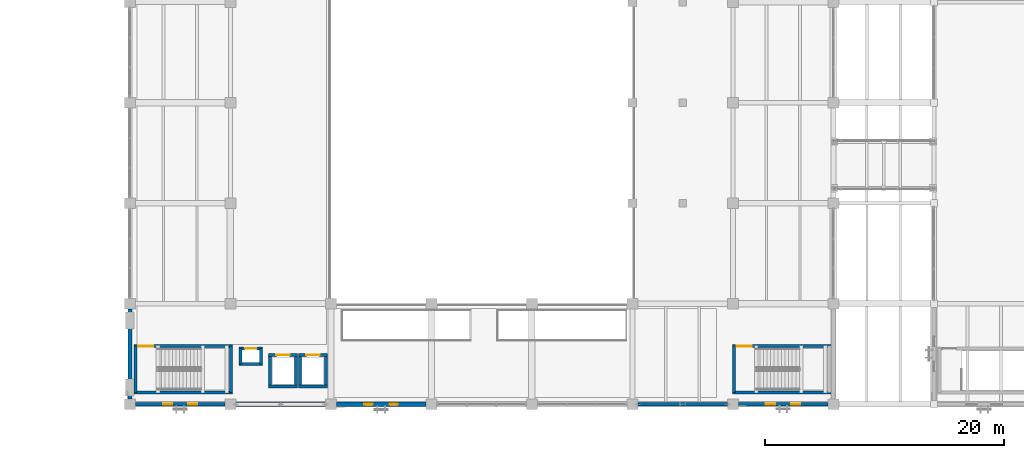
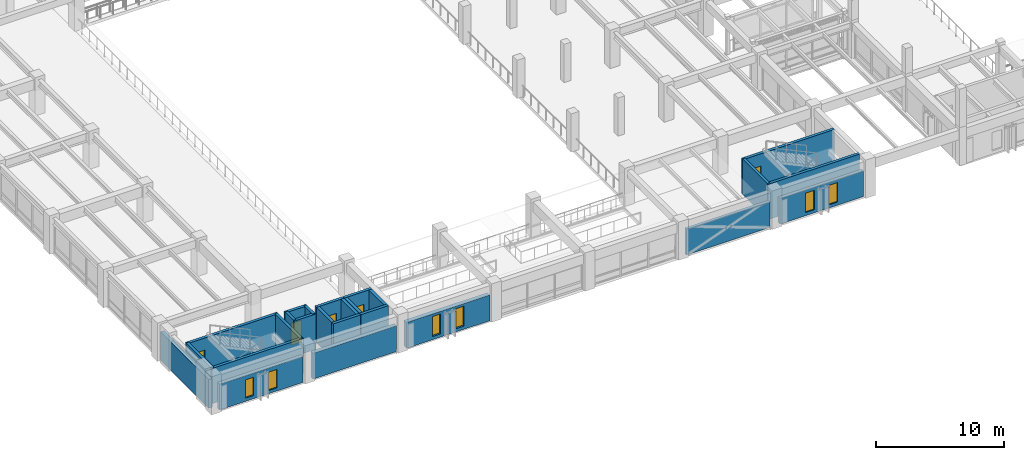
# One storey, part 65 of 118: 25 walls, 6 windows, 5 doors, 11 openings.
"""IFC4 building model written with IfcOpenShell, lengths in metres."""

from ifc_helpers import new_model, si_unit, direction, frame, frame_2d, origin, place, context, subcontext, project, spatial, rectangle, extrude, material, layer, layer_set, type_object, element, fill, save


model = new_model("IFC4")

# Units and contexts
model_context = context("Model", 3, precision=1e-05, world=origin(), true_north=direction((0.0, 1.0)))
body_context = subcontext(model_context, "Body", "Model", "MODEL_VIEW")
ifc_project = project(units=[si_unit("LENGTHUNIT", "METRE"), si_unit("AREAUNIT", "SQUARE_METRE"), si_unit("VOLUMEUNIT", "CUBIC_METRE"), si_unit("PLANEANGLEUNIT", "RADIAN"), si_unit("MASSUNIT", "GRAM", prefix="KILO")], contexts=[model_context])

# Site, building, storey
site_placement = place(None, origin())
site = spatial("IfcSite", under=ifc_project, at=site_placement, CompositionType="ELEMENT")
building_placement = place(site_placement, origin())
building = spatial("IfcBuilding", under=site, at=building_placement, Name="Cumbredor Promenade Congress Hotel", CompositionType="ELEMENT")
storey_placement = place(building_placement, frame((0.0, 0.0, 3.919921875)))
storey = spatial("IfcBuildingStorey", under=building, at=storey_placement, Name="L01", CompositionType="ELEMENT", Elevation=3.919921875)

# Wall
ifc_material_1 = material(Name="Concrete C40/50", Category="concrete")
ifc_layer_1 = layer(ifc_material_1, 0.260009765625, Name="Concrete C40/50", Category="concrete")
ifc_layer_set_1 = layer_set([ifc_layer_1], Name="Concrete C40/50")
wall_type_1 = type_object("IfcWallType", Name="WL-EXT-260", PredefinedType="SOLIDWALL", material=ifc_layer_set_1)
wall_1_placement = place(storey_placement, frame((50.85107421875, 8.39990234375, 0.0), z_axis=(0.0, 0.0, 1.0), x_axis=(1.0, 0.0, 0.0)))
element("IfcWall", 1, at=wall_1_placement, inside=storey, type_object=wall_type_1, Name="L01 Plenary Congress Hall South Envelope Wall 6", PredefinedType="SOLIDWALL", context=body_context, shape_type="SweptSolid", body=[
    extrude(rectangle(XDim=7.498046875, YDim=0.260009765625, at=frame_2d((3.7490234375, 0.0))), origin(), (0.0, 0.0, 1.0), 2.445068359375),
])

# Wall, openings, windows
ifc_layer_2 = layer(ifc_material_1, 0.280029296875, Name="Concrete C40/50", Category="concrete")
ifc_layer_set_2 = layer_set([ifc_layer_2], Name="Concrete C40/50")
wall_type_2 = type_object("IfcWallType", Name="WL-EXT-280", PredefinedType="SOLIDWALL", material=ifc_layer_set_2)
wall_2_placement = place(storey_placement, frame((59.2509765625, 8.39990234375, 0.0), z_axis=(0.0, 0.0, 1.0), x_axis=(1.0, 0.0, 0.0)))
wall_2 = element("IfcWall", 2, at=wall_2_placement, inside=storey, type_object=wall_type_2, Name="L01 Plenary Congress Hall South Envelope Wall 7", PredefinedType="SOLIDWALL", context=body_context, shape_type="SweptSolid", body=[
    extrude(rectangle(XDim=7.498046875, YDim=0.280029296875, at=frame_2d((3.7490234375, 0.0))), origin(), (0.0, 0.0, 1.0), 2.445068359375),
])
opening_1_placement = place(wall_2_placement, frame((2.30908203125, 0.0, 0.300048828125)))
opening_1 = element("IfcOpeningElement", 3, at=opening_1_placement, cuts=wall_2, Name="Opening WN-46", PredefinedType="OPENING", context=body_context, shape_type="SweptSolid", body=[
    extrude(rectangle(XDim=0.780029296875, YDim=1.85009765625, at=frame_2d((0.39013671875, 0.925048828125))), frame((0.0, 0.14990234375, 0.0), z_axis=(0.0, -1.0, 0.0), x_axis=(1.0, 0.0, 0.0)), (0.0, 0.0, 1.0), 0.300048828125),
])
opening_2_placement = place(wall_2_placement, frame((4.408935546875, 0.0, 0.300048828125)))
opening_2 = element("IfcOpeningElement", 4, at=opening_2_placement, cuts=wall_2, Name="Opening WN-46", PredefinedType="OPENING", context=body_context, shape_type="SweptSolid", body=[
    extrude(rectangle(XDim=0.780029296875, YDim=1.85009765625, at=frame_2d((0.39013671875, 0.925048828125))), frame((0.0, 0.14990234375, 0.0), z_axis=(0.0, -1.0, 0.0), x_axis=(1.0, 0.0, 0.0)), (0.0, 0.0, 1.0), 0.300048828125),
])
ifc_material_2 = material(Name="Thermally broken anodized aluminium and low-E glass", Category="aluminium")
window_type_1 = type_object("IfcWindowType", Name="Vertical Slot Window WN-46 780x1850", PartitioningType="SINGLE_PANEL", PredefinedType="WINDOW", material=ifc_material_2)
window_1_placement = place(opening_1_placement, origin())
window_1 = element("IfcWindow", 5, at=window_1_placement, inside=storey, type_object=window_type_1, Name="L01 Vertical Slot Window 0099", OverallHeight=1.85009765625, OverallWidth=0.780029296875, PartitioningType="SINGLE_PANEL", PredefinedType="WINDOW", context=body_context, shape_type="SweptSolid", body=[
    extrude(rectangle(XDim=0.780029296875, YDim=1.85009765625, at=frame_2d((0.39013671875, 0.925048828125))), frame((0.0, 0.030029296875, 0.0), z_axis=(0.0, -1.0, 0.0), x_axis=(1.0, 0.0, 0.0)), (0.0, 0.0, 1.0), 0.06005859375),
])
fill(opening_1, window_1)
window_2_placement = place(opening_2_placement, origin())
window_2 = element("IfcWindow", 6, at=window_2_placement, inside=storey, type_object=window_type_1, Name="L01 Vertical Slot Window 0100", OverallHeight=1.85009765625, OverallWidth=0.780029296875, PartitioningType="SINGLE_PANEL", PredefinedType="WINDOW", context=body_context, shape_type="SweptSolid", body=[
    extrude(rectangle(XDim=0.780029296875, YDim=1.85009765625, at=frame_2d((0.39013671875, 0.925048828125))), frame((0.0, 0.030029296875, 0.0), z_axis=(0.0, -1.0, 0.0), x_axis=(1.0, 0.0, 0.0)), (0.0, 0.0, 1.0), 0.06005859375),
])
fill(opening_2, window_2)

ifc_layer_3 = layer(ifc_material_1, 0.324951171875, Name="Concrete C40/50", Category="concrete")
ifc_layer_set_3 = layer_set([ifc_layer_3], Name="Concrete C40/50")
wall_type_3 = type_object("IfcWallType", Name="WL-EXT-325", PredefinedType="SOLIDWALL", material=ifc_layer_set_3)
wall_3_placement = place(storey_placement, frame((8.85107421875, 8.39990234375, 0.0), z_axis=(0.0, 0.0, 1.0), x_axis=(1.0, 0.0, 0.0)))
wall_3 = element("IfcWall", 7, at=wall_3_placement, inside=storey, type_object=wall_type_3, Name="L01 Plenary Congress Hall South Envelope Wall 1", PredefinedType="SOLIDWALL", context=body_context, shape_type="SweptSolid", body=[
    extrude(rectangle(XDim=7.498046875, YDim=0.324951171875, at=frame_2d((3.7490234375, 0.0))), origin(), (0.0, 0.0, 1.0), 2.445068359375),
])
opening_3_placement = place(wall_3_placement, frame((2.319091796875, 0.0, 0.300048828125)))
opening_3 = element("IfcOpeningElement", 8, at=opening_3_placement, cuts=wall_3, Name="Opening WN-61", PredefinedType="OPENING", context=body_context, shape_type="SweptSolid", body=[
    extrude(rectangle(XDim=0.760009765625, YDim=1.75, at=frame_2d((0.3798828125, 0.875))), frame((0.0, 0.17236328125, 0.0), z_axis=(0.0, -1.0, 0.0), x_axis=(1.0, 0.0, 0.0)), (0.0, 0.0, 1.0), 0.344970703125),
])
opening_4_placement = place(wall_3_placement, frame((4.4189453125, 0.0, 0.300048828125)))
opening_4 = element("IfcOpeningElement", 9, at=opening_4_placement, cuts=wall_3, Name="Opening WN-61", PredefinedType="OPENING", context=body_context, shape_type="SweptSolid", body=[
    extrude(rectangle(XDim=0.760009765625, YDim=1.75, at=frame_2d((0.3798828125, 0.875))), frame((0.0, 0.17236328125, 0.0), z_axis=(0.0, -1.0, 0.0), x_axis=(1.0, 0.0, 0.0)), (0.0, 0.0, 1.0), 0.344970703125),
])
window_type_2 = type_object("IfcWindowType", Name="Vertical Slot Window WN-61 760x1750", PartitioningType="SINGLE_PANEL", PredefinedType="WINDOW", material=ifc_material_2)
window_3_placement = place(opening_3_placement, origin())
window_3 = element("IfcWindow", 10, at=window_3_placement, inside=storey, type_object=window_type_2, Name="L01 Vertical Slot Window 0095", OverallHeight=1.75, OverallWidth=0.760009765625, PartitioningType="SINGLE_PANEL", PredefinedType="WINDOW", context=body_context, shape_type="SweptSolid", body=[
    extrude(rectangle(XDim=0.760009765625, YDim=1.75, at=frame_2d((0.3798828125, 0.875))), frame((0.0, 0.030029296875, 0.0), z_axis=(0.0, -1.0, 0.0), x_axis=(1.0, 0.0, 0.0)), (0.0, 0.0, 1.0), 0.06005859375),
])
fill(opening_3, window_3)
window_4_placement = place(opening_4_placement, origin())
window_4 = element("IfcWindow", 11, at=window_4_placement, inside=storey, type_object=window_type_2, Name="L01 Vertical Slot Window 0096", OverallHeight=1.75, OverallWidth=0.760009765625, PartitioningType="SINGLE_PANEL", PredefinedType="WINDOW", context=body_context, shape_type="SweptSolid", body=[
    extrude(rectangle(XDim=0.760009765625, YDim=1.75, at=frame_2d((0.3798828125, 0.875))), frame((0.0, 0.030029296875, 0.0), z_axis=(0.0, -1.0, 0.0), x_axis=(1.0, 0.0, 0.0)), (0.0, 0.0, 1.0), 0.06005859375),
])
fill(opening_4, window_4)

# Walls
wall_4_placement = place(storey_placement, frame((8.39990234375, 8.85107421875, 0.0), z_axis=(0.0, 0.0, 1.0), x_axis=(0.0, 1.0, 0.0)))
element("IfcWall", 12, at=wall_4_placement, inside=storey, type_object=wall_type_3, Name="L01 Plenary Congress Hall West Envelope Wall 1", PredefinedType="SOLIDWALL", context=body_context, shape_type="SweptSolid", body=[
    extrude(rectangle(XDim=7.498046875, YDim=0.324951171875, at=frame_2d((3.7490234375, 0.0))), origin(), (0.0, 0.0, 1.0), 2.734130859375),
])
ifc_layer_4 = layer(ifc_material_1, 0.35009765625, Name="Concrete C40/50", Category="concrete")
ifc_layer_set_4 = layer_set([ifc_layer_4], Name="Concrete C40/50")
wall_type_4 = type_object("IfcWallType", Name="WL-EXT-350", PredefinedType="SOLIDWALL", material=ifc_layer_set_4)
wall_5_placement = place(storey_placement, frame((17.2509765625, 8.39990234375, 0.0), z_axis=(0.0, 0.0, 1.0), x_axis=(1.0, 0.0, 0.0)))
element("IfcWall", 13, at=wall_5_placement, inside=storey, type_object=wall_type_4, Name="L01 Plenary Congress Hall South Envelope Wall 2", PredefinedType="SOLIDWALL", context=body_context, shape_type="SweptSolid", body=[
    extrude(rectangle(XDim=7.498046875, YDim=0.35009765625, at=frame_2d((3.7490234375, 0.0))), origin(), (0.0, 0.0, 1.0), 2.445068359375),
])

# Wall, openings, windows
ifc_layer_5 = layer(ifc_material_1, 0.3798828125, Name="Concrete C40/50", Category="concrete")
ifc_layer_set_5 = layer_set([ifc_layer_5], Name="Concrete C40/50")
wall_type_5 = type_object("IfcWallType", Name="WL-EXT-380", PredefinedType="SOLIDWALL", material=ifc_layer_set_5)
wall_6_placement = place(storey_placement, frame((25.65087890625, 8.39990234375, 0.0), z_axis=(0.0, 0.0, 1.0), x_axis=(1.0, 0.0, 0.0)))
wall_6 = element("IfcWall", 14, at=wall_6_placement, inside=storey, type_object=wall_type_5, Name="L01 Plenary Congress Hall South Envelope Wall 3", PredefinedType="SOLIDWALL", context=body_context, shape_type="SweptSolid", body=[
    extrude(rectangle(XDim=7.498046875, YDim=0.3798828125, at=frame_2d((3.7490234375, 0.0))), origin(), (0.0, 0.0, 1.0), 2.445068359375),
])
opening_5_placement = place(wall_6_placement, frame((2.34912109375, 0.0, 0.300048828125)))
opening_5 = element("IfcOpeningElement", 15, at=opening_5_placement, cuts=wall_6, Name="Opening WN-65", PredefinedType="OPENING", context=body_context, shape_type="SweptSolid", body=[
    extrude(rectangle(XDim=0.699951171875, YDim=1.89990234375, at=frame_2d((0.35009765625, 0.949951171875))), frame((0.0, 0.199951171875, 0.0), z_axis=(0.0, -1.0, 0.0), x_axis=(1.0, 0.0, 0.0)), (0.0, 0.0, 1.0), 0.39990234375),
])
opening_6_placement = place(wall_6_placement, frame((4.448974609375, 0.0, 0.300048828125)))
opening_6 = element("IfcOpeningElement", 16, at=opening_6_placement, cuts=wall_6, Name="Opening WN-65", PredefinedType="OPENING", context=body_context, shape_type="SweptSolid", body=[
    extrude(rectangle(XDim=0.699951171875, YDim=1.89990234375, at=frame_2d((0.35009765625, 0.949951171875))), frame((0.0, 0.199951171875, 0.0), z_axis=(0.0, -1.0, 0.0), x_axis=(1.0, 0.0, 0.0)), (0.0, 0.0, 1.0), 0.39990234375),
])
window_type_3 = type_object("IfcWindowType", Name="Vertical Slot Window WN-65 700x1900", PartitioningType="SINGLE_PANEL", PredefinedType="WINDOW", material=ifc_material_2)
window_5_placement = place(opening_5_placement, origin())
window_5 = element("IfcWindow", 17, at=window_5_placement, inside=storey, type_object=window_type_3, Name="L01 Vertical Slot Window 0097", OverallHeight=1.89990234375, OverallWidth=0.699951171875, PartitioningType="SINGLE_PANEL", PredefinedType="WINDOW", context=body_context, shape_type="SweptSolid", body=[
    extrude(rectangle(XDim=0.699951171875, YDim=1.89990234375, at=frame_2d((0.35009765625, 0.949951171875))), frame((0.0, 0.030029296875, 0.0), z_axis=(0.0, -1.0, 0.0), x_axis=(1.0, 0.0, 0.0)), (0.0, 0.0, 1.0), 0.06005859375),
])
fill(opening_5, window_5)
window_6_placement = place(opening_6_placement, origin())
window_6 = element("IfcWindow", 18, at=window_6_placement, inside=storey, type_object=window_type_3, Name="L01 Vertical Slot Window 0098", OverallHeight=1.89990234375, OverallWidth=0.699951171875, PartitioningType="SINGLE_PANEL", PredefinedType="WINDOW", context=body_context, shape_type="SweptSolid", body=[
    extrude(rectangle(XDim=0.699951171875, YDim=1.89990234375, at=frame_2d((0.35009765625, 0.949951171875))), frame((0.0, 0.030029296875, 0.0), z_axis=(0.0, -1.0, 0.0), x_axis=(1.0, 0.0, 0.0)), (0.0, 0.0, 1.0), 0.06005859375),
])
fill(opening_6, window_6)

# Wall
ifc_layer_6 = layer(ifc_material_1, 0.2548828125, Name="Concrete C40/50", Category="concrete")
ifc_layer_set_6 = layer_set([ifc_layer_6], Name="Concrete C40/50")
wall_type_6 = type_object("IfcWallType", Name="WL-SHAFT-250", PredefinedType="SOLIDWALL", material=ifc_layer_set_6)
wall_7_placement = place(storey_placement, frame((8.75244140625, 9.3798828125, 0.0), z_axis=(0.0, 0.0, 1.0), x_axis=(1.0, 0.0, 0.0)))
element("IfcWall", 19, at=wall_7_placement, inside=storey, type_object=wall_type_6, Name="STAIR-ST-04-L01 Shaft Wall South", PredefinedType="SOLIDWALL", context=body_context, shape_type="SweptSolid", body=[
    extrude(rectangle(XDim=8.22509765625, YDim=0.2548828125, at=frame_2d((4.112548828125, 0.0))), origin(), (0.0, 0.0, 1.0), 3.360107421875),
])

# Wall, opening, door
wall_8_placement = place(storey_placement, frame((8.75244140625, 13.25, 0.0), z_axis=(0.0, 0.0, 1.0), x_axis=(1.0, 0.0, 0.0)))
wall_8 = element("IfcWall", 20, at=wall_8_placement, inside=storey, type_object=wall_type_6, Name="STAIR-ST-04-L01 Shaft Wall North", PredefinedType="SOLIDWALL", context=body_context, shape_type="SweptSolid", body=[
    extrude(rectangle(XDim=8.22509765625, YDim=0.2548828125, at=frame_2d((4.112548828125, 0.0))), origin(), (0.0, 0.0, 1.0), 3.360107421875),
])
opening_7_placement = place(wall_8_placement, frame((0.35009765625, 0.0, 0.0)))
opening_7 = element("IfcOpeningElement", 21, at=opening_7_placement, cuts=wall_8, Name="Opening SD-02", PredefinedType="OPENING", context=body_context, shape_type="SweptSolid", body=[
    extrude(rectangle(XDim=1.25, YDim=2.199951171875, at=frame_2d((0.625, 1.10009765625))), frame((0.0, 0.137451171875, 0.0), z_axis=(0.0, -1.0, 0.0), x_axis=(1.0, 0.0, 0.0)), (0.0, 0.0, 1.0), 0.27490234375),
])
ifc_material_3 = material(Name="Painted galvanized steel fire door", Category="steel")
door_type_1 = type_object("IfcDoorType", Name="DR-STAIR-FD90-1250", OperationType="NOTDEFINED", PredefinedType="DOOR", material=ifc_material_3)
door_1_placement = place(opening_7_placement, origin())
door_1 = element("IfcDoor", 22, at=door_1_placement, inside=storey, type_object=door_type_1, Name="L01 Protected Exit Stair ST-04 Door", OperationType="SINGLE_SWING_RIGHT", OverallHeight=2.199951171875, OverallWidth=1.25, PredefinedType="DOOR", context=body_context, shape_type="SweptSolid", body=[
    extrude(rectangle(XDim=1.25, YDim=2.199951171875, at=frame_2d((0.625, 1.10009765625))), frame((0.0, 0.02490234375, 0.0), z_axis=(0.0, -1.0, 0.0), x_axis=(1.0, 0.0, 0.0)), (0.0, 0.0, 1.0), 0.050048828125),
])
fill(opening_7, door_1)

# Walls
for number, where, z_axis, x_axis, name in (
    (23, (8.8798828125, 9.3798828125, 0.0), (0.0, 0.0, 1.0), (0.0, 1.0, 0.0), "STAIR-ST-04-L01 Shaft Wall West"),
    (24, (16.85009765625, 9.3798828125, 0.0), (0.0, 0.0, 1.0), (0.0, 1.0, 0.0), "STAIR-ST-04-L01 Shaft Wall East"),
):
    element("IfcWall", number, at=place(storey_placement, frame(where, z_axis=z_axis, x_axis=x_axis)), inside=storey, type_object=wall_type_6, Name=name, PredefinedType="SOLIDWALL", context=body_context, shape_type="SweptSolid", body=[
        extrude(rectangle(XDim=3.8701171875, YDim=0.2548828125, at=frame_2d((1.93505859375, 0.0))), origin(), (0.0, 0.0, 1.0), 3.360107421875),
    ])
wall_9_placement = place(storey_placement, frame((58.75244140625, 9.3798828125, 0.0), z_axis=(0.0, 0.0, 1.0), x_axis=(1.0, 0.0, 0.0)))
element("IfcWall", 25, at=wall_9_placement, inside=storey, type_object=wall_type_6, Name="STAIR-ST-05-L01 Shaft Wall South", PredefinedType="SOLIDWALL", context=body_context, shape_type="SweptSolid", body=[
    extrude(rectangle(XDim=8.22509765625, YDim=0.2548828125, at=frame_2d((4.112548828125, 0.0))), origin(), (0.0, 0.0, 1.0), 3.360107421875),
])

# Wall, opening, door
wall_10_placement = place(storey_placement, frame((58.75244140625, 13.25, 0.0), z_axis=(0.0, 0.0, 1.0), x_axis=(1.0, 0.0, 0.0)))
wall_10 = element("IfcWall", 26, at=wall_10_placement, inside=storey, type_object=wall_type_6, Name="STAIR-ST-05-L01 Shaft Wall North", PredefinedType="SOLIDWALL", context=body_context, shape_type="SweptSolid", body=[
    extrude(rectangle(XDim=8.22509765625, YDim=0.2548828125, at=frame_2d((4.112548828125, 0.0))), origin(), (0.0, 0.0, 1.0), 3.360107421875),
])
opening_8_placement = place(wall_10_placement, frame((0.35009765625, 0.0, 0.0)))
opening_8 = element("IfcOpeningElement", 27, at=opening_8_placement, cuts=wall_10, Name="Opening SD-02", PredefinedType="OPENING", context=body_context, shape_type="SweptSolid", body=[
    extrude(rectangle(XDim=1.25, YDim=2.199951171875, at=frame_2d((0.625, 1.10009765625))), frame((0.0, 0.137451171875, 0.0), z_axis=(0.0, -1.0, 0.0), x_axis=(1.0, 0.0, 0.0)), (0.0, 0.0, 1.0), 0.27490234375),
])
door_2_placement = place(opening_8_placement, origin())
door_2 = element("IfcDoor", 28, at=door_2_placement, inside=storey, type_object=door_type_1, Name="L01 Protected Exit Stair ST-05 Door", OperationType="SINGLE_SWING_RIGHT", OverallHeight=2.199951171875, OverallWidth=1.25, PredefinedType="DOOR", context=body_context, shape_type="SweptSolid", body=[
    extrude(rectangle(XDim=1.25, YDim=2.199951171875, at=frame_2d((0.625, 1.10009765625))), frame((0.0, 0.02490234375, 0.0), z_axis=(0.0, -1.0, 0.0), x_axis=(1.0, 0.0, 0.0)), (0.0, 0.0, 1.0), 0.050048828125),
])
fill(opening_8, door_2)

# Walls
wall_11_placement = place(storey_placement, frame((58.8798828125, 9.3798828125, 0.0), z_axis=(0.0, 0.0, 1.0), x_axis=(0.0, 1.0, 0.0)))
element("IfcWall", 29, at=wall_11_placement, inside=storey, type_object=wall_type_6, Name="STAIR-ST-05-L01 Shaft Wall West", PredefinedType="SOLIDWALL", context=body_context, shape_type="SweptSolid", body=[
    extrude(rectangle(XDim=3.8701171875, YDim=0.2548828125, at=frame_2d((1.93505859375, 0.0))), origin(), (0.0, 0.0, 1.0), 3.360107421875),
])
wall_12_placement = place(storey_placement, frame((19.972412109375, 9.89990234375, 0.0), z_axis=(0.0, 0.0, 1.0), x_axis=(1.0, 0.0, 0.0)))
element("IfcWall", 30, at=wall_12_placement, inside=storey, type_object=wall_type_6, Name="SHAFT-PL-05-L01 Shaft Wall South", PredefinedType="SOLIDWALL", context=body_context, shape_type="SweptSolid", body=[
    extrude(rectangle(XDim=2.455078125, YDim=0.2548828125, at=frame_2d((1.2275390625, 0.0))), origin(), (0.0, 0.0, 1.0), 3.360107421875),
])

# Wall, opening, door
wall_13_placement = place(storey_placement, frame((19.972412109375, 12.5, 0.0), z_axis=(0.0, 0.0, 1.0), x_axis=(1.0, 0.0, 0.0)))
wall_13 = element("IfcWall", 31, at=wall_13_placement, inside=storey, type_object=wall_type_6, Name="SHAFT-PL-05-L01 Shaft Wall North", PredefinedType="SOLIDWALL", context=body_context, shape_type="SweptSolid", body=[
    extrude(rectangle(XDim=2.455078125, YDim=0.2548828125, at=frame_2d((1.2275390625, 0.0))), origin(), (0.0, 0.0, 1.0), 3.360107421875),
])
opening_9_placement = place(wall_13_placement, frame((0.677490234375, 0.0, 0.0)))
opening_9 = element("IfcOpeningElement", 32, at=opening_9_placement, cuts=wall_13, Name="Opening LD-01", PredefinedType="OPENING", context=body_context, shape_type="SweptSolid", body=[
    extrude(rectangle(XDim=1.10009765625, YDim=2.14990234375, at=frame_2d((0.550048828125, 1.074951171875))), frame((0.0, 0.137451171875, 0.0), z_axis=(0.0, -1.0, 0.0), x_axis=(1.0, 0.0, 0.0)), (0.0, 0.0, 1.0), 0.27490234375),
])
ifc_material_4 = material(Name="Brushed stainless steel", Category="steel")
door_type_2 = type_object("IfcDoorType", Name="Lift Landing Sliding Door LD-01 1100x2150", OperationType="DOUBLE_DOOR_SLIDING", PredefinedType="DOOR", material=ifc_material_4)
door_3_placement = place(opening_9_placement, origin())
door_3 = element("IfcDoor", 33, at=door_3_placement, inside=storey, type_object=door_type_2, Name="L01 Plenary Passenger Lift PL-05 Sliding Landing Door", OperationType="DOUBLE_DOOR_SLIDING", OverallHeight=2.14990234375, OverallWidth=1.10009765625, PredefinedType="DOOR", context=body_context, shape_type="SweptSolid", body=[
    extrude(rectangle(XDim=1.10009765625, YDim=2.14990234375, at=frame_2d((0.550048828125, 1.074951171875))), frame((0.0, 0.02490234375, 0.0), z_axis=(0.0, -1.0, 0.0), x_axis=(1.0, 0.0, 0.0)), (0.0, 0.0, 1.0), 0.050048828125),
])
fill(opening_9, door_3)

# Walls
for number, where, z_axis, x_axis, name in (
    (34, (20.10009765625, 9.89990234375, 0.0), (0.0, 0.0, 1.0), (0.0, 1.0, 0.0), "SHAFT-PL-05-L01 Shaft Wall West"),
    (35, (22.300048828125, 9.89990234375, 0.0), (0.0, 0.0, 1.0), (0.0, 1.0, 0.0), "SHAFT-PL-05-L01 Shaft Wall East"),
):
    element("IfcWall", number, at=place(storey_placement, frame(where, z_axis=z_axis, x_axis=x_axis)), inside=storey, type_object=wall_type_6, Name=name, PredefinedType="SOLIDWALL", context=body_context, shape_type="SweptSolid", body=[
        extrude(rectangle(XDim=2.60009765625, YDim=0.2548828125, at=frame_2d((1.300048828125, 0.0))), origin(), (0.0, 0.0, 1.0), 3.360107421875),
    ])
wall_14_placement = place(storey_placement, frame((22.472412109375, 9.89990234375, 0.0), z_axis=(0.0, 0.0, 1.0), x_axis=(1.0, 0.0, 0.0)))
element("IfcWall", 36, at=wall_14_placement, inside=storey, type_object=wall_type_6, Name="SHAFT-PL-06-L01 Shaft Wall South", PredefinedType="SOLIDWALL", context=body_context, shape_type="SweptSolid", body=[
    extrude(rectangle(XDim=2.455078125, YDim=0.2548828125, at=frame_2d((1.2275390625, 0.0))), origin(), (0.0, 0.0, 1.0), 3.360107421875),
])

# Wall, opening, door
wall_15_placement = place(storey_placement, frame((22.472412109375, 12.5, 0.0), z_axis=(0.0, 0.0, 1.0), x_axis=(1.0, 0.0, 0.0)))
wall_15 = element("IfcWall", 37, at=wall_15_placement, inside=storey, type_object=wall_type_6, Name="SHAFT-PL-06-L01 Shaft Wall North", PredefinedType="SOLIDWALL", context=body_context, shape_type="SweptSolid", body=[
    extrude(rectangle(XDim=2.455078125, YDim=0.2548828125, at=frame_2d((1.2275390625, 0.0))), origin(), (0.0, 0.0, 1.0), 3.360107421875),
])
opening_10_placement = place(wall_15_placement, frame((0.677490234375, 0.0, 0.0)))
opening_10 = element("IfcOpeningElement", 38, at=opening_10_placement, cuts=wall_15, Name="Opening LD-01", PredefinedType="OPENING", context=body_context, shape_type="SweptSolid", body=[
    extrude(rectangle(XDim=1.10009765625, YDim=2.14990234375, at=frame_2d((0.550048828125, 1.074951171875))), frame((0.0, 0.137451171875, 0.0), z_axis=(0.0, -1.0, 0.0), x_axis=(1.0, 0.0, 0.0)), (0.0, 0.0, 1.0), 0.27490234375),
])
door_4_placement = place(opening_10_placement, origin())
door_4 = element("IfcDoor", 39, at=door_4_placement, inside=storey, type_object=door_type_2, Name="L01 Plenary Passenger Lift PL-06 Sliding Landing Door", OperationType="DOUBLE_DOOR_SLIDING", OverallHeight=2.14990234375, OverallWidth=1.10009765625, PredefinedType="DOOR", context=body_context, shape_type="SweptSolid", body=[
    extrude(rectangle(XDim=1.10009765625, YDim=2.14990234375, at=frame_2d((0.550048828125, 1.074951171875))), frame((0.0, 0.02490234375, 0.0), z_axis=(0.0, -1.0, 0.0), x_axis=(1.0, 0.0, 0.0)), (0.0, 0.0, 1.0), 0.050048828125),
])
fill(opening_10, door_4)

# Walls
for number, where, z_axis, x_axis, name in (
    (40, (22.60009765625, 9.89990234375, 0.0), (0.0, 0.0, 1.0), (0.0, 1.0, 0.0), "SHAFT-PL-06-L01 Shaft Wall West"),
    (41, (24.800048828125, 9.89990234375, 0.0), (0.0, 0.0, 1.0), (0.0, 1.0, 0.0), "SHAFT-PL-06-L01 Shaft Wall East"),
):
    element("IfcWall", number, at=place(storey_placement, frame(where, z_axis=z_axis, x_axis=x_axis)), inside=storey, type_object=wall_type_6, Name=name, PredefinedType="SOLIDWALL", context=body_context, shape_type="SweptSolid", body=[
        extrude(rectangle(XDim=2.60009765625, YDim=0.2548828125, at=frame_2d((1.300048828125, 0.0))), origin(), (0.0, 0.0, 1.0), 3.360107421875),
    ])
wall_16_placement = place(storey_placement, frame((17.5224609375, 11.75, 0.0), z_axis=(0.0, 0.0, 1.0), x_axis=(1.0, 0.0, 0.0)))
element("IfcWall", 42, at=wall_16_placement, inside=storey, type_object=wall_type_6, Name="RISER-MEP-R2-L01 Shaft Wall South", PredefinedType="SOLIDWALL", context=body_context, shape_type="SweptSolid", body=[
    extrude(rectangle(XDim=1.955078125, YDim=0.2548828125, at=frame_2d((0.9775390625, 0.0))), origin(), (0.0, 0.0, 1.0), 3.360107421875),
])

# Wall, opening, door
wall_17_placement = place(storey_placement, frame((17.5224609375, 13.050048828125, 0.0), z_axis=(0.0, 0.0, 1.0), x_axis=(1.0, 0.0, 0.0)))
wall_17 = element("IfcWall", 43, at=wall_17_placement, inside=storey, type_object=wall_type_6, Name="RISER-MEP-R2-L01 Shaft Wall North", PredefinedType="SOLIDWALL", context=body_context, shape_type="SweptSolid", body=[
    extrude(rectangle(XDim=1.955078125, YDim=0.2548828125, at=frame_2d((0.9775390625, 0.0))), origin(), (0.0, 0.0, 1.0), 3.360107421875),
])
opening_11_placement = place(wall_17_placement, frame((0.507568359375, 0.0, 0.0)))
opening_11 = element("IfcOpeningElement", 44, at=opening_11_placement, cuts=wall_17, Name="Opening FD-03", PredefinedType="OPENING", context=body_context, shape_type="SweptSolid", body=[
    extrude(rectangle(XDim=0.93994140625, YDim=2.10009765625, at=frame_2d((0.469970703125, 1.050048828125))), frame((0.0, 0.137451171875, 0.0), z_axis=(0.0, -1.0, 0.0), x_axis=(1.0, 0.0, 0.0)), (0.0, 0.0, 1.0), 0.27490234375),
])
door_type_3 = type_object("IfcDoorType", Name="DR-SGL-FD60-950", OperationType="NOTDEFINED", PredefinedType="DOOR", material=ifc_material_3)
door_5_placement = place(opening_11_placement, origin())
door_5 = element("IfcDoor", 45, at=door_5_placement, inside=storey, type_object=door_type_3, Name="L01 Plenary MEP Riser Shaft R2 Access Door", OperationType="SINGLE_SWING_LEFT", OverallHeight=2.10009765625, OverallWidth=0.93994140625, PredefinedType="DOOR", context=body_context, shape_type="SweptSolid", body=[
    extrude(rectangle(XDim=0.93994140625, YDim=2.10009765625, at=frame_2d((0.469970703125, 1.050048828125))), frame((0.0, 0.02490234375, 0.0), z_axis=(0.0, -1.0, 0.0), x_axis=(1.0, 0.0, 0.0)), (0.0, 0.0, 1.0), 0.050048828125),
])
fill(opening_11, door_5)

# Walls
for number, where, z_axis, x_axis, name in (
    (46, (17.64990234375, 11.75, 0.0), (0.0, 0.0, 1.0), (0.0, 1.0, 0.0), "RISER-MEP-R2-L01 Shaft Wall West"),
    (47, (19.35009765625, 11.75, 0.0), (0.0, 0.0, 1.0), (0.0, 1.0, 0.0), "RISER-MEP-R2-L01 Shaft Wall East"),
):
    element("IfcWall", number, at=place(storey_placement, frame(where, z_axis=z_axis, x_axis=x_axis)), inside=storey, type_object=wall_type_6, Name=name, PredefinedType="SOLIDWALL", context=body_context, shape_type="SweptSolid", body=[
        extrude(rectangle(XDim=1.300048828125, YDim=0.2548828125, at=frame_2d((0.64990234375, 0.0))), origin(), (0.0, 0.0, 1.0), 3.360107421875),
    ])

save(model, "model.ifc")
